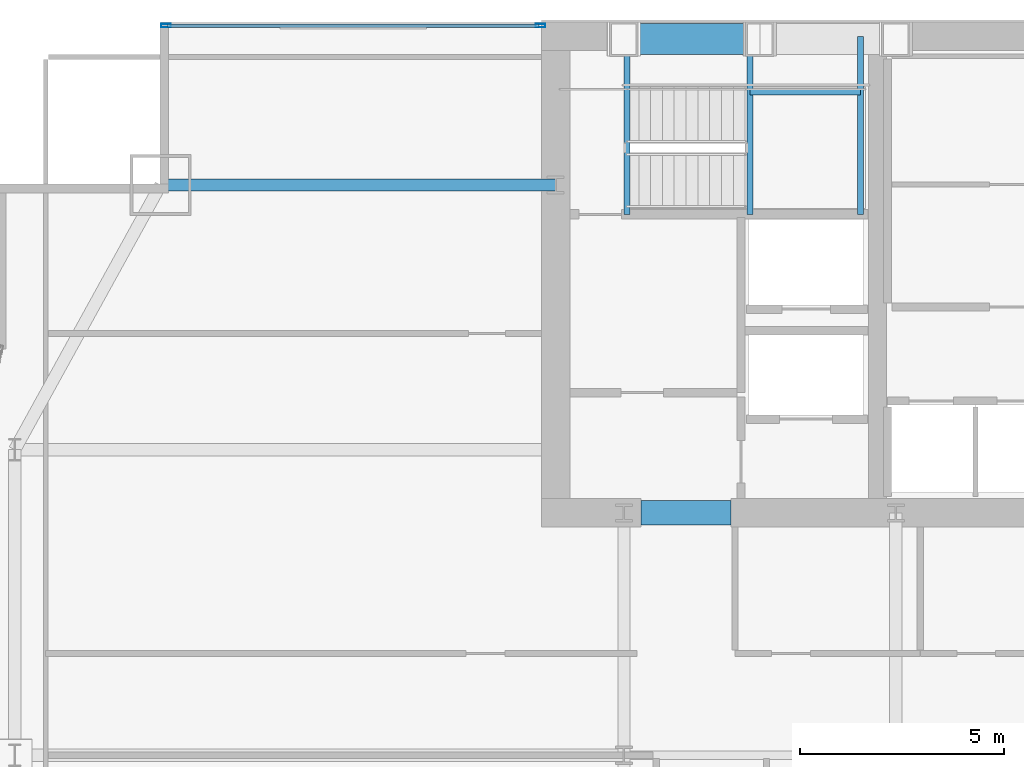
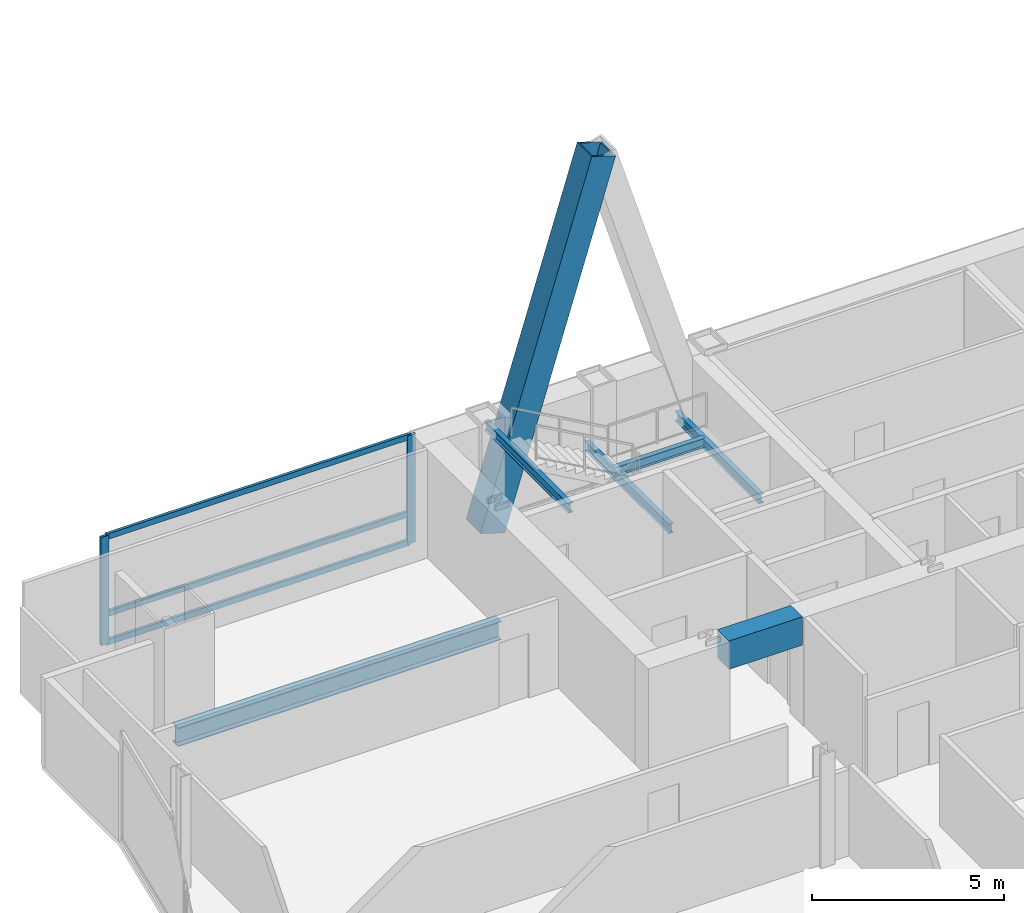
# One storey, part 18 of 33: 6 beams, 6 members, 1 element without a shape of its own.
"""IFC4 building model written with IfcOpenShell, lengths in metres."""

from ifc_helpers import new_model, si_unit, direction, frame, origin, origin_2d, place, context, subcontext, project, spatial, rectangle, hollow_rectangle, i_section, extrude, material, material_profile, profile_set, type_object, element, aggregate, save


model = new_model("IFC4")

# Units and contexts
model_context = context("Model", 3, precision=1e-05, world=origin(), true_north=direction((0.0, 1.0)))
body_context = subcontext(model_context, "Body", "Model", "MODEL_VIEW")
ifc_project = project(units=[si_unit("LENGTHUNIT", "METRE"), si_unit("AREAUNIT", "SQUARE_METRE"), si_unit("VOLUMEUNIT", "CUBIC_METRE"), si_unit("PLANEANGLEUNIT", "RADIAN"), si_unit("MASSUNIT", "GRAM", prefix="KILO")], contexts=[model_context])

# Site, building, storey
site_placement = place(None, origin())
site = spatial("IfcSite", under=ifc_project, at=site_placement, CompositionType="ELEMENT")
building_placement = place(site_placement, origin())
building = spatial("IfcBuilding", under=site, at=building_placement, Name="Khoronbel Lancet Exchange", CompositionType="ELEMENT")
storey_placement = place(building_placement, frame((0.0, 0.0, 118.199951171875)))
storey = spatial("IfcBuildingStorey", under=building, at=storey_placement, Name="L28", CompositionType="ELEMENT", Elevation=118.199951171875)

# Beams
ifc_material_1 = material(Name="Steel S355", Category="steel")
ifc_material_profile_1 = material_profile(ifc_material_1, i_section(OverallWidth=0.14990234375, OverallDepth=0.300048828125, WebThickness=0.007080078125, FlangeThickness=0.0107421875, at=origin_2d()), Name="IPE 300")
ifc_profile_set_1 = profile_set([ifc_material_profile_1], Name="Steel S355")
beam_type_1 = type_object("IfcBeamType", Name="BM-BJ8", PredefinedType="JOIST", material=ifc_profile_set_1)
for number, where, z_axis, x_axis, name in (
    (1, (21.320068359375, 48.97998046875, 1.449951171875), (0.0, 1.0, 0.0), (-1.0, 0.0, 0.0), "Level L28 stair ST1 landing bearer beam 1"),
    (2, (24.030029296875, 48.97998046875, 1.449951171875), (0.0, 1.0, 0.0), (-1.0, 0.0, 0.0), "Level L28 stair ST1 rear landing bearer beam 1"),
):
    element("IfcBeam", number, at=place(storey_placement, frame(where, z_axis=z_axis, x_axis=x_axis)), inside=storey, type_object=beam_type_1, Name=name, PredefinedType="JOIST", context=body_context, shape_type="SweptSolid", body=[
        extrude(i_section(OverallWidth=0.14990234375, OverallDepth=0.300048828125, WebThickness=0.007080078125, FlangeThickness=0.0107421875, at=origin_2d()), origin(), (0.0, 0.0, 1.0), 4.3701171875),
    ])
beam_1_placement = place(storey_placement, frame((21.320068359375, 51.97998046875, 1.449951171875), z_axis=(1.0, 0.0, 0.0), x_axis=(0.0, 1.0, 0.0)))
element("IfcBeam", 3, at=beam_1_placement, inside=storey, type_object=beam_type_1, Name="Level L28 stair ST1 landing cross trimmer beam 1", PredefinedType="JOIST", context=body_context, shape_type="SweptSolid", body=[
    extrude(i_section(OverallWidth=0.14990234375, OverallDepth=0.300048828125, WebThickness=0.007080078125, FlangeThickness=0.0107421875, at=origin_2d()), origin(), (0.0, 0.0, 1.0), 2.7099609375),
])
beam_2_placement = place(storey_placement, frame((18.300048828125, 48.97998046875, 3.16015625), z_axis=(0.0, 1.0, 0.0), x_axis=(-1.0, 0.0, 0.0)))
element("IfcBeam", 4, at=beam_2_placement, inside=storey, type_object=beam_type_1, Name="Level L28 stair ST1 upper-flight arrival trimmer beam", PredefinedType="JOIST", context=body_context, shape_type="SweptSolid", body=[
    extrude(i_section(OverallWidth=0.14990234375, OverallDepth=0.300048828125, WebThickness=0.007080078125, FlangeThickness=0.0107421875, at=origin_2d()), origin(), (0.0, 0.0, 1.0), 4.3701171875),
])
ifc_material_2 = material(Name="Concrete C80/95", Category="concrete")
ifc_material_profile_2 = material_profile(ifc_material_2, rectangle(XDim=0.60009765625, YDim=0.89990234375, at=origin_2d()), Name="RC 600x900")
ifc_profile_set_2 = profile_set([ifc_material_profile_2], Name="Concrete C80/95")
beam_type_2 = type_object("IfcBeamType", Name="BM-BL1", PredefinedType="LINTEL", material=ifc_profile_set_2)
beam_3_placement = place(storey_placement, frame((18.64990234375, 41.64990234375, 2.989990234375), z_axis=(1.0, 0.0, 0.0), x_axis=(0.0, 1.0, 0.0)))
element("IfcBeam", 5, at=beam_3_placement, inside=storey, type_object=beam_type_2, Name="Level L28 rear core coupling lintel L1", PredefinedType="LINTEL", context=body_context, shape_type="SweptSolid", body=[
    extrude(rectangle(XDim=0.60009765625, YDim=0.89990234375, at=origin_2d()), origin(), (0.0, 0.0, 1.0), 2.2001953125),
])
ifc_material_profile_3 = material_profile(ifc_material_1, i_section(OverallWidth=0.300048828125, OverallDepth=0.60009765625, WebThickness=0.015380859375, FlangeThickness=0.030029296875, at=origin_2d()), Name="HEB 600")
ifc_profile_set_3 = profile_set([ifc_material_profile_3], Name="Steel S355")
beam_type_3 = type_object("IfcBeamType", Name="BM-BSP2", PredefinedType="SPANDREL", material=ifc_profile_set_3)
beam_4_placement = place(storey_placement, frame((6.85009765625, 49.699951171875, -0.4599609375), z_axis=(1.0, 0.0, 0.0), x_axis=(0.0, 1.0, 0.0)))
element("IfcBeam", 6, at=beam_4_placement, inside=storey, type_object=beam_type_3, Name="Level L28 north flank tie spandrel SP22", PredefinedType="SPANDREL", context=body_context, shape_type="SweptSolid", body=[
    extrude(i_section(OverallWidth=0.300048828125, OverallDepth=0.60009765625, WebThickness=0.015380859375, FlangeThickness=0.030029296875, at=origin_2d()), origin(), (0.0, 0.0, 1.0), 9.699951171875),
])

# Curtain wall, members
ifc_material_3 = material(Name="Low-E Solar Control Insulating Glass", Category="glass")
curtain_wall_type = type_object("IfcCurtainWallType", Name="CW-2", PredefinedType="NOTDEFINED", material=ifc_material_3)
curtain_wall_placement = place(storey_placement, origin())
curtain_wall = element("IfcCurtainWall", 7, at=curtain_wall_placement, inside=storey, type_object=curtain_wall_type, Name="Unitised curtain wall CW-L28-NWFLK", PredefinedType="NOTDEFINED")
ifc_material_4 = material(Name="Bronze-Anodised Aluminium 6063-T6", Category="aluminium")
ifc_material_profile_4 = material_profile(ifc_material_4, hollow_rectangle(XDim=0.0849609375, YDim=0.239990234375, WallThickness=0.006103515625, at=origin_2d()), Name="ALU MULLION 85x240")
ifc_profile_set_4 = profile_set([ifc_material_profile_4], Name="Bronze-Anodised Aluminium 6063-T6")
member_type_1 = type_object("IfcMemberType", Name="MEM-CWM1", PredefinedType="MULLION", material=ifc_profile_set_4)
member_1_placement = place(storey_placement, frame((16.177490234375, 53.610107421875, 0.0), z_axis=(0.0, 0.0, 1.0), x_axis=(0.0, -1.0, 0.0)))
member_1 = element("IfcMember", 8, at=member_1_placement, type_object=member_type_1, Name="CW2 mullion 1", PredefinedType="MULLION", context=body_context, shape_type="SweptSolid", body=[
    extrude(hollow_rectangle(XDim=0.0849609375, YDim=0.239990234375, WallThickness=0.006103515625, at=origin_2d()), origin(), (0.0, 0.0, 1.0), 3.43994140625),
])
member_2_placement = place(storey_placement, frame((6.982421875, 53.610107421875, 0.0), z_axis=(0.0, 0.0, 1.0), x_axis=(0.0, -1.0, 0.0)))
member_2 = element("IfcMember", 9, at=member_2_placement, type_object=member_type_1, Name="CW2 mullion 2", PredefinedType="MULLION", context=body_context, shape_type="SweptSolid", body=[
    extrude(hollow_rectangle(XDim=0.0849609375, YDim=0.239990234375, WallThickness=0.006103515625, at=origin_2d()), origin(), (0.0, 0.0, 1.0), 3.43994140625),
])
ifc_material_profile_5 = material_profile(ifc_material_4, hollow_rectangle(XDim=0.0849609375, YDim=0.179931640625, WallThickness=0.0048828125, at=origin_2d()), Name="ALU TRANSOM 85x180")
ifc_profile_set_5 = profile_set([ifc_material_profile_5], Name="Bronze-Anodised Aluminium 6063-T6")
member_type_2 = type_object("IfcMemberType", Name="MEM-CWT1", PredefinedType="USERDEFINED", material=ifc_profile_set_5)
member_3_placement = place(storey_placement, frame((16.135009765625, 53.610107421875, 0.04248046875), z_axis=(-1.0, 0.0, 0.0), x_axis=(0.0, -1.0, 0.0)))
member_3 = element("IfcMember", 10, at=member_3_placement, type_object=member_type_2, Name="CW2 transom 1.1", ObjectType="TRANSOM", PredefinedType="USERDEFINED", context=body_context, shape_type="SweptSolid", body=[
    extrude(hollow_rectangle(XDim=0.0849609375, YDim=0.179931640625, WallThickness=0.0048828125, at=origin_2d()), origin(), (0.0, 0.0, 1.0), 9.110107421875),
])
member_4_placement = place(storey_placement, frame((16.135009765625, 53.610107421875, 0.949951171875), z_axis=(-1.0, 0.0, 0.0), x_axis=(0.0, -1.0, 0.0)))
member_4 = element("IfcMember", 11, at=member_4_placement, type_object=member_type_2, Name="CW2 transom 1.2", ObjectType="TRANSOM", PredefinedType="USERDEFINED", context=body_context, shape_type="SweptSolid", body=[
    extrude(hollow_rectangle(XDim=0.0849609375, YDim=0.179931640625, WallThickness=0.0048828125, at=origin_2d()), origin(), (0.0, 0.0, 1.0), 9.110107421875),
])
member_5_placement = place(storey_placement, frame((16.135009765625, 53.610107421875, 3.3974609375), z_axis=(-1.0, 0.0, 0.0), x_axis=(0.0, -1.0, 0.0)))
member_5 = element("IfcMember", 12, at=member_5_placement, type_object=member_type_2, Name="CW2 transom 1.3", ObjectType="TRANSOM", PredefinedType="USERDEFINED", context=body_context, shape_type="SweptSolid", body=[
    extrude(hollow_rectangle(XDim=0.0849609375, YDim=0.179931640625, WallThickness=0.0048828125, at=origin_2d()), origin(), (0.0, 0.0, 1.0), 9.110107421875),
])
aggregate(curtain_wall, [member_1, member_2, member_3, member_4, member_5])

# Member
ifc_material_5 = material(Name="Steel S460", Category="steel")
ifc_material_profile_6 = material_profile(ifc_material_5, hollow_rectangle(XDim=0.760009765625, YDim=0.760009765625, WallThickness=0.054931640625, at=origin_2d()), Name="BOX 760x760x55")
ifc_profile_set_6 = profile_set([ifc_material_profile_6], Name="Steel S460")
member_type_3 = type_object("IfcMemberType", Name="MEM-MB1", PredefinedType="BRACE", material=ifc_profile_set_6)
member_6_placement = place(storey_placement, frame((18.22509765625, 53.280029296875, 0.0), z_axis=(0.295242108906, 0.0, 0.955422470496), x_axis=(0.0, 1.0, 0.0)))
element("IfcMember", 13, at=member_6_placement, inside=storey, type_object=member_type_3, Name="Perimeter lancet brace tier 9 N-W-L", PredefinedType="BRACE", context=body_context, shape_type="SweptSolid", body=[
    extrude(hollow_rectangle(XDim=0.760009765625, YDim=0.760009765625, WallThickness=0.054931640625, at=origin_2d()), origin(), (0.0, 0.0, 1.0), 11.303955078125),
])

save(model, "model.ifc")
